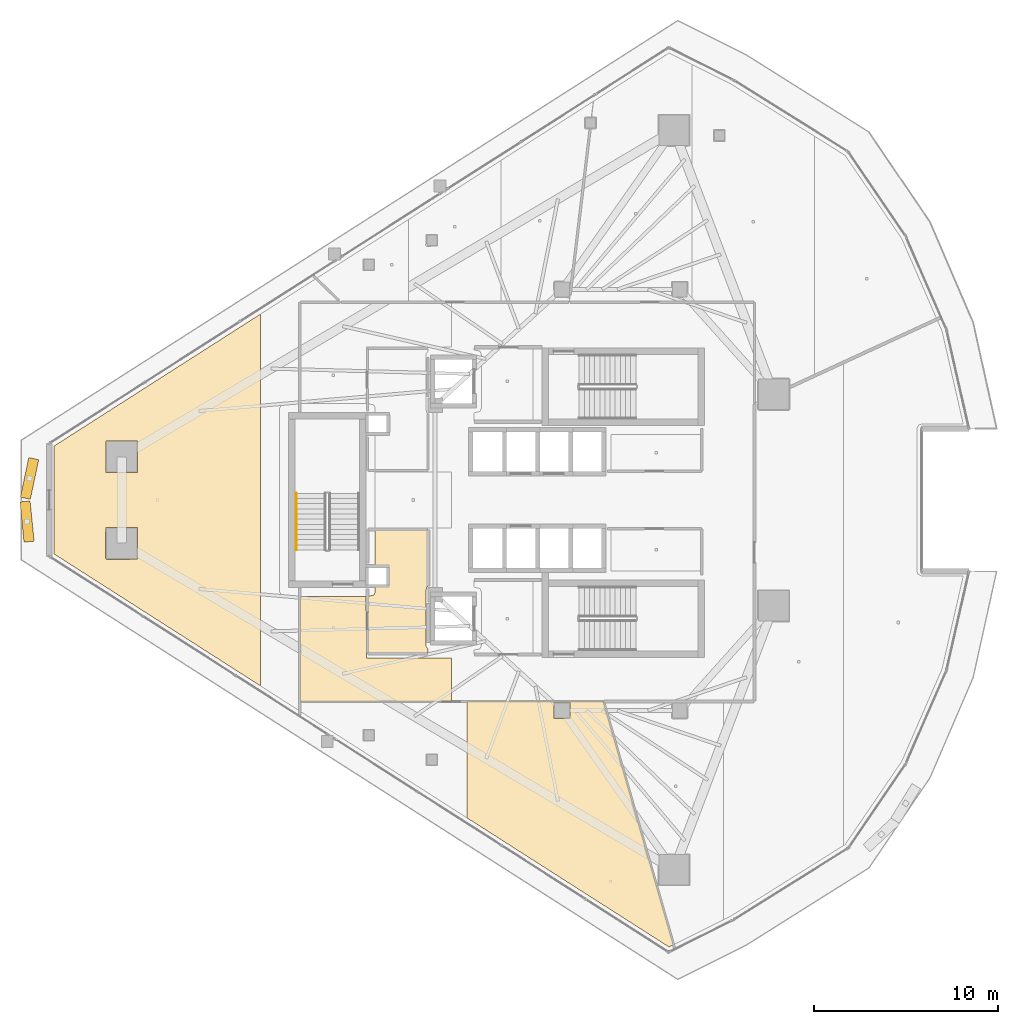
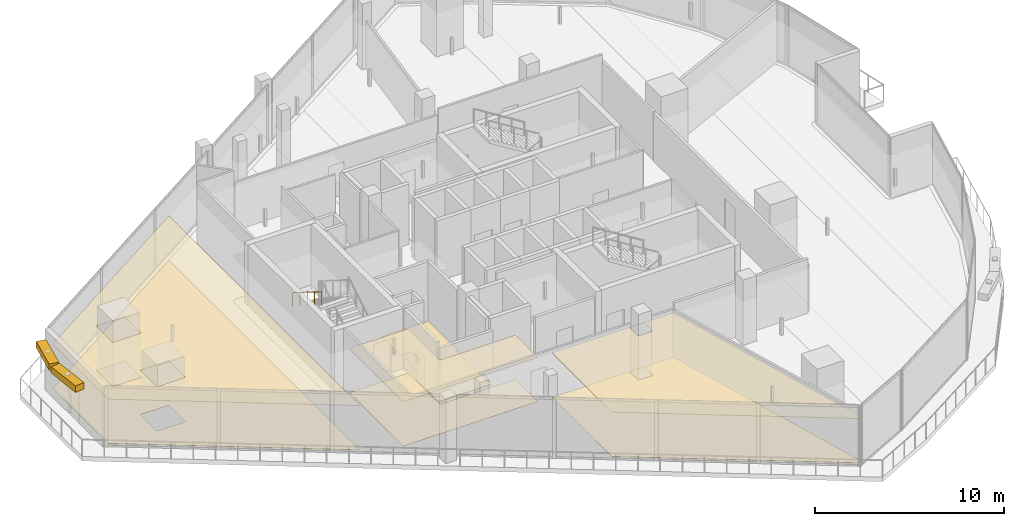
# One storey, part 26 of 31: 7 coverings, 2 shading devices, 1 railing.
"""IFC4 building model written with IfcOpenShell, lengths in metres."""

from ifc_helpers import new_model, si_unit, direction, frame, origin, origin_2d, place, context, subcontext, project, spatial, polyline, rectangle, circle, outline, extrude, material, layer, layer_set, type_object, element, save


model = new_model("IFC4")

# Units and contexts
model_context = context("Model", 3, precision=1e-05, world=origin(), true_north=direction((0.0, 1.0)))
body_context = subcontext(model_context, "Body", "Model", "MODEL_VIEW")
ifc_project = project(units=[si_unit("LENGTHUNIT", "METRE"), si_unit("AREAUNIT", "SQUARE_METRE"), si_unit("VOLUMEUNIT", "CUBIC_METRE"), si_unit("PLANEANGLEUNIT", "RADIAN"), si_unit("MASSUNIT", "GRAM", prefix="KILO")], contexts=[model_context])

# Site, building, storey
site_placement = place(None, origin())
site = spatial("IfcSite", under=ifc_project, at=site_placement, CompositionType="ELEMENT")
building_placement = place(site_placement, origin())
building = spatial("IfcBuilding", under=site, at=building_placement, Name="Qorvath Tower", CompositionType="ELEMENT")
storey_placement = place(building_placement, frame((0.0, 0.0, 259.800048828125)))
storey = spatial("IfcBuildingStorey", under=building, at=storey_placement, Name="L60", CompositionType="ELEMENT", Elevation=259.800048828125)

# Coverings
ifc_material_1 = material(Name="Acoustic mineral fibre ceiling tile", Category="gypsum")
ifc_layer_1 = layer(ifc_material_1, 0.030029296875)
ifc_layer_set_1 = layer_set([ifc_layer_1], Name="COV-CEIL")
covering_type_1 = type_object("IfcCoveringType", Name="COV-CEIL", PredefinedType="CEILING", material=ifc_layer_set_1)
covering_1_placement = place(storey_placement, frame((0.0, 0.0, 2.849853515625)))
element("IfcCovering", 1, at=covering_1_placement, inside=storey, type_object=covering_type_1, Name="L60 Suspended Acoustic Ceiling 007", PredefinedType="CEILING", context=body_context, shape_type="SweptSolid", body=[
    extrude(outline(polyline([(-34.22509765625, -8.580078125), (-34.251220703125, -5.239990234375), (-37.844970703125, -5.239990234375), (-37.844970703125, -10.945068359375), (-29.614990234375, -10.945068359375), (-29.614990234375, -8.5771484375), (-34.22509765625, -8.580078125)])), origin(), (0.0, 0.0, 1.0), 0.030029296875),
])
covering_2_placement = place(storey_placement, frame((0.0, 0.0, 2.849853515625)))
element("IfcCovering", 2, at=covering_2_placement, inside=storey, type_object=covering_type_1, Name="L60 Suspended Acoustic Ceiling 010", PredefinedType="CEILING", context=body_context, shape_type="SweptSolid", body=[
    extrude(outline(polyline([(-51.216064453125, -2.934326171875), (-39.9921875, -10.10791015625), (-39.9921875, 10.10791015625), (-51.216064453125, 2.934326171875), (-51.216064453125, -2.934326171875)]), holes=[polyline([(-48.422607421875, -3.174560546875), (-48.405029296875, -1.482177734375), (-46.670166015625, -1.482177734375), (-46.670166015625, -3.217041015625), (-48.362548828125, -3.234619140625), (-48.422607421875, -3.174560546875)]), polyline([(-48.405029296875, 1.482177734375), (-48.405029296875, 3.217041015625), (-46.670166015625, 3.217041015625), (-46.670166015625, 1.482177734375), (-48.405029296875, 1.482177734375)])]), origin(), (0.0, 0.0, 1.0), 0.030029296875),
])
covering_3_placement = place(storey_placement, frame((0.0, 0.0, 2.849853515625)))
element("IfcCovering", 3, at=covering_3_placement, inside=storey, type_object=covering_type_1, Name="L60 Suspended Acoustic Ceiling 012", PredefinedType="CEILING", context=body_context, shape_type="SweptSolid", body=[
    extrude(outline(polyline([(-28.768310546875, -10.96240234375), (-28.768310546875, -17.281494140625), (-17.787109375, -24.300048828125), (-17.544189453125, -24.1787109375), (-21.348876953125, -10.962890625), (-28.768310546875, -10.96240234375)]), holes=[polyline([(-24.04248046875, -11.892333984375), (-24.04248046875, -11.007568359375), (-23.157470703125, -11.007568359375), (-23.157470703125, -11.892333984375), (-24.04248046875, -11.892333984375)])]), origin(), (0.0, 0.0, 1.0), 0.030029296875),
])
ifc_material_2 = material(Name="Low-VOC modular carpet tile", Category="textile")
ifc_layer_2 = layer(ifc_material_2, 0.014892578125)
ifc_layer_set_2 = layer_set([ifc_layer_2], Name="COV-FLOOR-CPT")
covering_type_2 = type_object("IfcCoveringType", Name="COV-FLOOR-CPT", PredefinedType="FLOORING", material=ifc_layer_set_2)
covering_4_placement = place(storey_placement, origin())
element("IfcCovering", 4, at=covering_4_placement, inside=storey, type_object=covering_type_2, Name="L60 Floor Finish 006", PredefinedType="FLOORING", context=body_context, shape_type="SweptSolid", body=[
    extrude(outline(polyline([(-30.885009765625, -1.60498046875), (-33.760009765625, -1.60498046875), (-33.760009765625, -3.636962890625), (-33.08837890625, -3.638427734375), (-33.0869140625, -4.6279296875), (-33.760009765625, -4.633056640625), (-33.760009765625, -4.989990234375), (-33.833251953125, -5.166748046875), (-34.175048828125, -5.239990234375), (-34.175048828125, -8.344970703125), (-30.885009765625, -8.344970703125), (-30.885009765625, -8.108154296875), (-31.010009765625, -7.909912109375), (-31.010009765625, -4.989990234375), (-30.9423828125, -4.70751953125), (-30.885009765625, -4.68994140625), (-30.885009765625, -1.60498046875)])), origin(), (0.0, 0.0, 1.0), 0.014892578125),
])
covering_5_placement = place(storey_placement, origin())
element("IfcCovering", 5, at=covering_5_placement, inside=storey, type_object=covering_type_2, Name="L60 Floor Finish 010", PredefinedType="FLOORING", context=body_context, shape_type="SweptSolid", body=[
    extrude(outline(polyline([(-51.216064453125, -2.934326171875), (-39.9921875, -10.10791015625), (-39.9921875, 10.10791015625), (-51.216064453125, 2.934326171875), (-51.216064453125, -2.934326171875)]), holes=[polyline([(-48.422607421875, -3.174560546875), (-48.405029296875, -1.482177734375), (-46.670166015625, -1.482177734375), (-46.670166015625, -3.217041015625), (-48.362548828125, -3.234619140625), (-48.422607421875, -3.174560546875)]), polyline([(-48.405029296875, 1.482177734375), (-48.405029296875, 3.217041015625), (-46.670166015625, 3.217041015625), (-46.670166015625, 1.482177734375), (-48.405029296875, 1.482177734375)])]), origin(), (0.0, 0.0, 1.0), 0.014892578125),
])
covering_6_placement = place(storey_placement, origin())
element("IfcCovering", 6, at=covering_6_placement, inside=storey, type_object=covering_type_2, Name="L60 Floor Finish 012", PredefinedType="FLOORING", context=body_context, shape_type="SweptSolid", body=[
    extrude(outline(polyline([(-28.768310546875, -10.96240234375), (-28.768310546875, -17.281494140625), (-17.787109375, -24.300048828125), (-17.544189453125, -24.1787109375), (-21.348876953125, -10.962890625), (-28.768310546875, -10.96240234375)]), holes=[polyline([(-24.04248046875, -11.892333984375), (-24.04248046875, -11.007568359375), (-23.157470703125, -11.007568359375), (-23.157470703125, -11.892333984375), (-24.04248046875, -11.892333984375)])]), origin(), (0.0, 0.0, 1.0), 0.014892578125),
])
ifc_material_3 = material(Name="Polished epoxy terrazzo flooring", Category="concrete")
ifc_layer_3 = layer(ifc_material_3, 0.02001953125)
ifc_layer_set_3 = layer_set([ifc_layer_3], Name="COV-FLOOR-TRZ")
covering_type_3 = type_object("IfcCoveringType", Name="COV-FLOOR-TRZ", PredefinedType="FLOORING", material=ifc_layer_set_3)
covering_7_placement = place(storey_placement, origin())
element("IfcCovering", 7, at=covering_7_placement, inside=storey, type_object=covering_type_3, Name="L60 Floor Finish 007", PredefinedType="FLOORING", context=body_context, shape_type="SweptSolid", body=[
    extrude(outline(polyline([(-34.22509765625, -8.580078125), (-34.251220703125, -5.239990234375), (-37.844970703125, -5.239990234375), (-37.844970703125, -10.945068359375), (-29.614990234375, -10.945068359375), (-29.614990234375, -8.5771484375), (-34.22509765625, -8.580078125)])), origin(), (0.0, 0.0, 1.0), 0.014892578125),
])

# Railing
ifc_material_4 = material(Name="Brushed stainless steel AISI 304", Category="steel")
railing_type = type_object("IfcRailingType", Name="RL-STR-HND", PredefinedType="HANDRAIL", material=ifc_material_4)
railing_placement = place(storey_placement, frame((-38.06005859375, 0.360107421875, 2.27490234375)))
element("IfcRailing", 8, at=railing_placement, inside=storey, type_object=railing_type, Name="L60 TS3 stair handrail 2", PredefinedType="HANDRAIL", context=body_context, shape_type="SweptSolid", body=[
    extrude(circle(Radius=0.02392578125, at=origin_2d()), frame((0.0, 0.0, 0.8759765625), z_axis=(0.0, -0.847998304005, 0.529998940003), x_axis=(1.0, 0.0, 0.0)), (0.0, 0.0, 1.0), 3.632080078125),
    extrude(circle(Radius=0.02099609375, at=origin_2d()), origin(), (0.0, 0.0, 1.0), 0.851806640625),
    extrude(circle(Radius=0.02099609375, at=origin_2d()), frame((0.0, -0.77001953125, 0.481201171875)), (0.0, 0.0, 1.0), 0.851806640625),
    extrude(circle(Radius=0.02099609375, at=origin_2d()), frame((0.0, -1.5400390625, 0.96240234375)), (0.0, 0.0, 1.0), 0.851806640625),
    extrude(circle(Radius=0.02099609375, at=origin_2d()), frame((0.0, -2.31005859375, 1.44384765625)), (0.0, 0.0, 1.0), 0.851806640625),
    extrude(circle(Radius=0.02099609375, at=origin_2d()), frame((0.0, -3.080078125, 1.925048828125)), (0.0, 0.0, 1.0), 0.851806640625),
])

# Shading devices
ifc_material_5 = material(Name="Anodised bronze-champagne aluminium", Category="aluminium")
shading_device_type = type_object("IfcShadingDeviceType", Name="SD-LOUVRE", PredefinedType="JALOUSIE", material=ifc_material_5)
for number, where, z_axis, x_axis, name in (
    (9, (-52.550048828125, 1.17333984375, 3.489990234375), (0.0, 0.0, 1.0), (-0.207428530813, -0.978250174855, 0.0), "Sinusoidal Wave Louvre Blade L60-01"),
    (10, (-52.686279296875, -1.17333984375, 3.489990234375), (0.0, 0.0, 1.0), (0.099946678541, -0.994992794672, 0.0), "Sinusoidal Wave Louvre Blade L60-02"),
):
    element("IfcShadingDevice", number, at=place(storey_placement, frame(where, z_axis=z_axis, x_axis=x_axis)), inside=storey, type_object=shading_device_type, Name=name, PredefinedType="NOTDEFINED", context=body_context, shape_type="SweptSolid", body=[
        extrude(rectangle(XDim=2.199951171875, YDim=0.550048828125, at=origin_2d()), origin(), (0.0, 0.0, 1.0), 0.419921875),
    ])

save(model, "model.ifc")
